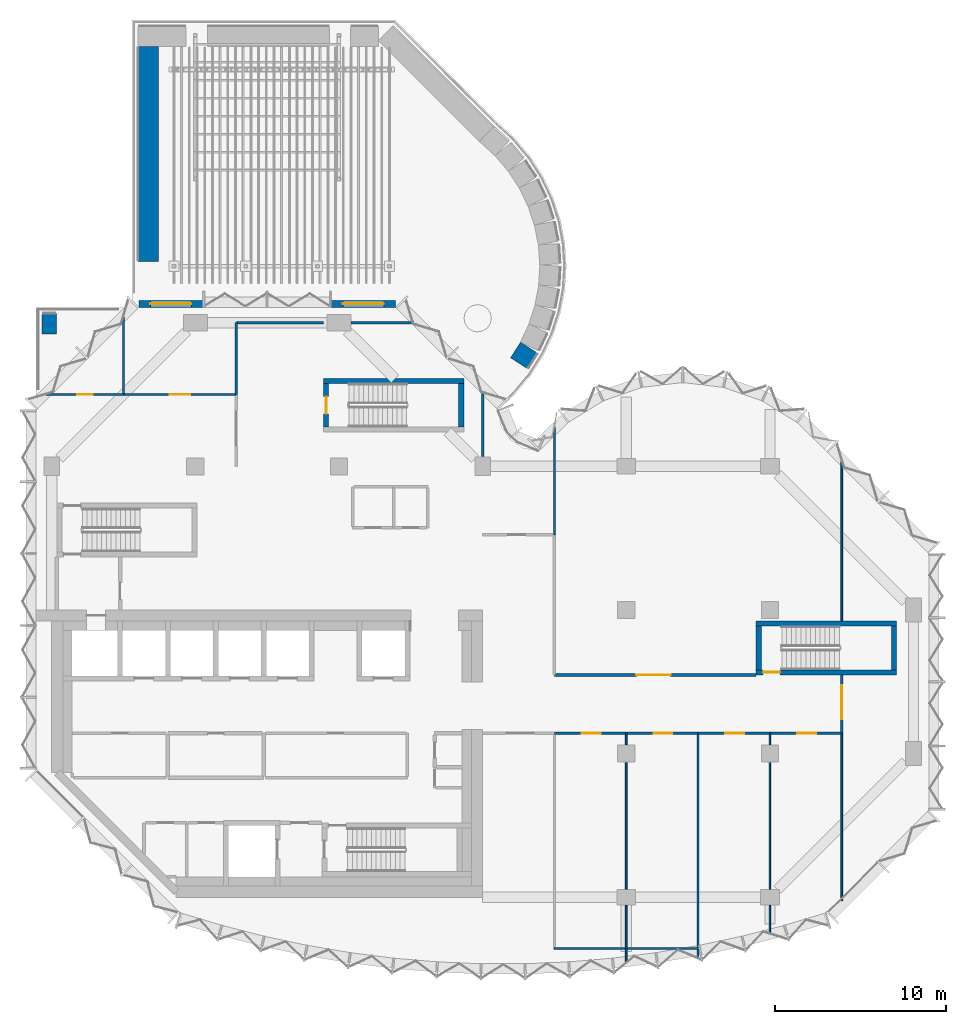
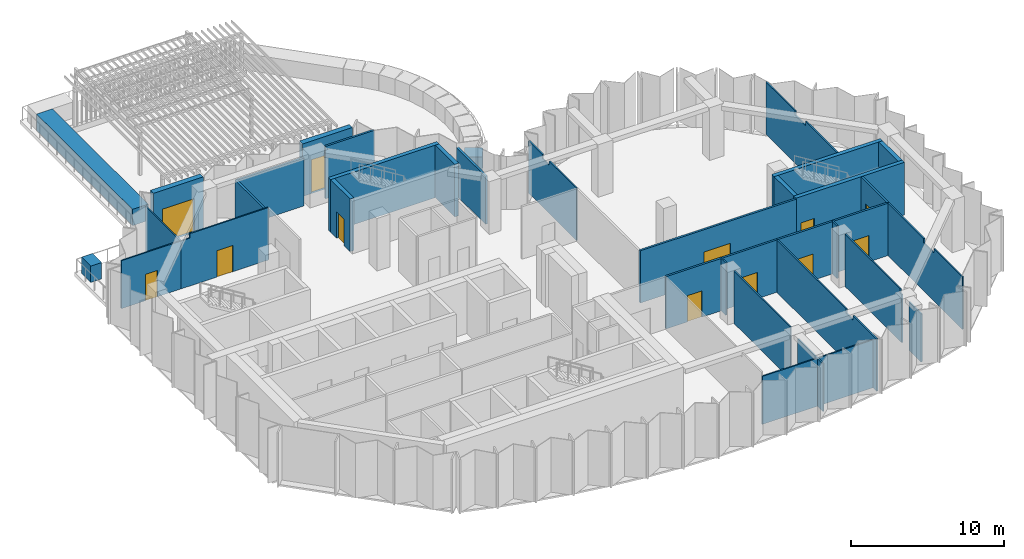
# One storey, part 10 of 15: 37 walls, 12 doors, 12 openings.
"""IFC4 building model written with IfcOpenShell, lengths in metres."""

from ifc_helpers import new_model, si_unit, direction, frame, frame_2d, origin, place, context, subcontext, project, spatial, polyline, rectangle, outline, extrude, material, layer, layer_set, type_object, element, fill, save


model = new_model("IFC4")

# Units and contexts
model_context = context("Model", 3, precision=1e-05, world=origin(), true_north=direction((0.0, 1.0)))
body_context = subcontext(model_context, "Body", "Model", "MODEL_VIEW")
ifc_project = project(units=[si_unit("LENGTHUNIT", "METRE"), si_unit("AREAUNIT", "SQUARE_METRE"), si_unit("VOLUMEUNIT", "CUBIC_METRE"), si_unit("PLANEANGLEUNIT", "RADIAN"), si_unit("MASSUNIT", "GRAM", prefix="KILO")], contexts=[model_context])

# Site, building, storey
site_placement = place(None, origin())
site = spatial("IfcSite", under=ifc_project, at=site_placement, CompositionType="ELEMENT")
building_placement = place(site_placement, origin())
building = spatial("IfcBuilding", under=site, at=building_placement, Name="Brevane Broadcast Tower", CompositionType="ELEMENT")
storey_placement = place(building_placement, frame((0.0, 0.0, 206.39990234375)))
storey = spatial("IfcBuildingStorey", under=building, at=storey_placement, Name="L52", CompositionType="ELEMENT", Elevation=206.39990234375)

# Wall
ifc_material_1 = material(Name="Concrete C60/75", Category="concrete")
ifc_layer_1 = layer(ifc_material_1, 0.300048828125)
ifc_layer_set_1 = layer_set([ifc_layer_1], Name="Core wall 300 mm C60/75")
wall_type_1 = type_object("IfcWallType", Name="Core wall 300 mm C60/75", PredefinedType="SHEAR", material=ifc_layer_set_1)
wall_1_placement = place(storey_placement, frame((15.89990234375, 30.199951171875, 0.0), z_axis=(0.0, 0.0, 1.0), x_axis=(1.0, 0.0, 0.0)))
element("IfcWall", 1, at=wall_1_placement, inside=storey, type_object=wall_type_1, Name="L52 stair wall ST-3-N", PredefinedType="SHEAR", context=body_context, shape_type="SweptSolid", body=[
    extrude(rectangle(XDim=8.2001953125, YDim=0.300048828125, at=frame_2d((4.10009765625, 0.0))), origin(), (0.0, 0.0, 1.0), 4.2001953125),
])

# Wall, opening, door
wall_2_placement = place(storey_placement, frame((16.050048828125, 27.5, 0.0), z_axis=(0.0, 0.0, 1.0), x_axis=(0.0, 1.0, 0.0)))
wall_2 = element("IfcWall", 2, at=wall_2_placement, inside=storey, type_object=wall_type_1, Name="L52 stair wall ST-3-W", PredefinedType="SHEAR", context=body_context, shape_type="SweptSolid", body=[
    extrude(rectangle(XDim=2.550048828125, YDim=0.300048828125, at=frame_2d((1.27490234375, 0.0))), origin(), (0.0, 0.0, 1.0), 4.2001953125),
])
opening_1_placement = place(wall_2_placement, frame((0.77490234375, 0.0, 0.0)))
opening_1 = element("IfcOpeningElement", 3, at=opening_1_placement, cuts=wall_2, Name="Opening L52-K12", PredefinedType="OPENING", context=body_context, shape_type="SweptSolid", body=[
    extrude(rectangle(XDim=1.0, YDim=2.10009765625, at=frame_2d((0.5, 1.050048828125))), frame((0.0, 0.159912109375, 0.0), z_axis=(0.0, -1.0, 0.0), x_axis=(1.0, 0.0, 0.0)), (0.0, 0.0, 1.0), 0.320068359375),
])
ifc_material_2 = material(Name="Steel", Category="steel")
door_type_1 = type_object("IfcDoorType", Name="Stair door 1000 x 2100", OperationType="SINGLE_SWING_LEFT", PredefinedType="DOOR", material=ifc_material_2)
door_1_placement = place(opening_1_placement, origin())
door_1 = element("IfcDoor", 4, at=door_1_placement, inside=storey, type_object=door_type_1, Name="Door L52-K12", OperationType="SINGLE_SWING_LEFT", OverallHeight=2.10009765625, OverallWidth=1.0, PredefinedType="DOOR", context=body_context, shape_type="SweptSolid", body=[
    extrude(rectangle(XDim=1.0, YDim=2.10009765625, at=frame_2d((0.5, 1.050048828125))), frame((0.0, 0.02490234375, 0.0), z_axis=(0.0, -1.0, 0.0), x_axis=(1.0, 0.0, 0.0)), (0.0, 0.0, 1.0), 0.050048828125),
])
fill(opening_1, door_1)

# Wall
wall_3_placement = place(storey_placement, frame((23.949951171875, 27.5, 0.0), z_axis=(0.0, 0.0, 1.0), x_axis=(0.0, 1.0, 0.0)))
element("IfcWall", 5, at=wall_3_placement, inside=storey, type_object=wall_type_1, Name="L52 stair wall ST-3-E", PredefinedType="SHEAR", context=body_context, shape_type="SweptSolid", body=[
    extrude(rectangle(XDim=2.550048828125, YDim=0.300048828125, at=frame_2d((1.27490234375, 0.0))), origin(), (0.0, 0.0, 1.0), 4.2001953125),
])

# Wall, opening, door
wall_4_placement = place(storey_placement, frame((49.39990234375, 13.14990234375, 0.0), z_axis=(0.0, 0.0, 1.0), x_axis=(-1.0, 0.0, 0.0)))
wall_4 = element("IfcWall", 6, at=wall_4_placement, inside=storey, type_object=wall_type_1, Name="L52 stair wall ST-4-S", PredefinedType="SHEAR", context=body_context, shape_type="SweptSolid", body=[
    extrude(rectangle(XDim=8.199951171875, YDim=0.300048828125, at=frame_2d((4.10009765625, 0.0))), origin(), (0.0, 0.0, 1.0), 4.2001953125),
])
opening_2_placement = place(wall_4_placement, frame((6.800048828125, 0.0, 0.0)))
opening_2 = element("IfcOpeningElement", 7, at=opening_2_placement, cuts=wall_4, Name="Opening L52-K13", PredefinedType="OPENING", context=body_context, shape_type="SweptSolid", body=[
    extrude(rectangle(XDim=1.0, YDim=2.10009765625, at=frame_2d((0.5, 1.050048828125))), frame((0.0, 0.159912109375, 0.0), z_axis=(0.0, -1.0, 0.0), x_axis=(1.0, 0.0, 0.0)), (0.0, 0.0, 1.0), 0.320068359375),
])
door_2_placement = place(opening_2_placement, origin())
door_2 = element("IfcDoor", 8, at=door_2_placement, inside=storey, type_object=door_type_1, Name="Door L52-K13", OperationType="SINGLE_SWING_RIGHT", OverallHeight=2.10009765625, OverallWidth=1.0, PredefinedType="DOOR", context=body_context, shape_type="SweptSolid", body=[
    extrude(rectangle(XDim=1.0, YDim=2.10009765625, at=frame_2d((0.5, 1.050048828125))), frame((0.0, 0.02490234375, 0.0), z_axis=(0.0, -1.0, 0.0), x_axis=(1.0, 0.0, 0.0)), (0.0, 0.0, 1.0), 0.050048828125),
])
fill(opening_2, door_2)

# Walls
wall_5_placement = place(storey_placement, frame((41.199951171875, 16.0, 0.0), z_axis=(0.0, 0.0, 1.0), x_axis=(1.0, 0.0, 0.0)))
element("IfcWall", 9, at=wall_5_placement, inside=storey, type_object=wall_type_1, Name="L52 stair wall ST-4-N", PredefinedType="SHEAR", context=body_context, shape_type="SweptSolid", body=[
    extrude(rectangle(XDim=8.199951171875, YDim=0.300048828125, at=frame_2d((4.10009765625, 0.0))), origin(), (0.0, 0.0, 1.0), 4.2001953125),
])
for number, where, z_axis, x_axis, name in (
    (10, (41.35009765625, 13.300048828125, 0.0), (0.0, 0.0, 1.0), (0.0, 1.0, 0.0), "L52 stair wall ST-4-W"),
    (11, (49.25, 13.300048828125, 0.0), (0.0, 0.0, 1.0), (0.0, 1.0, 0.0), "L52 stair wall ST-4-E"),
):
    element("IfcWall", number, at=place(storey_placement, frame(where, z_axis=z_axis, x_axis=x_axis)), inside=storey, type_object=wall_type_1, Name=name, PredefinedType="SHEAR", context=body_context, shape_type="SweptSolid", body=[
        extrude(rectangle(XDim=2.550048828125, YDim=0.300048828125, at=frame_2d((1.27490234375, 0.0))), origin(), (0.0, 0.0, 1.0), 4.2001953125),
    ])

# Wall, opening, door
ifc_material_3 = material(Name="Concrete C40/50", Category="concrete")
ifc_layer_2 = layer(ifc_material_3, 0.39990234375)
ifc_layer_set_2 = layer_set([ifc_layer_2], Name="Entrance portal wall 400")
wall_type_2 = type_object("IfcWallType", Name="Entrance portal wall 400", PredefinedType="SOLIDWALL", material=ifc_layer_set_2)
wall_6_placement = place(storey_placement, frame((16.35009765625, 34.699951171875, 0.0), z_axis=(0.0, 0.0, 1.0), x_axis=(1.0, 0.0, 0.0)))
wall_6 = element("IfcWall", 12, at=wall_6_placement, inside=storey, type_object=wall_type_2, Name="Portal wall terrace door", PredefinedType="SOLIDWALL", context=body_context, shape_type="SweptSolid", body=[
    extrude(rectangle(XDim=3.75, YDim=0.39990234375, at=frame_2d((1.875, 0.0))), origin(), (0.0, 0.0, 1.0), 4.2001953125),
])
opening_3_placement = place(wall_6_placement, frame((0.675048828125, 0.0, 0.0)))
opening_3 = element("IfcOpeningElement", 13, at=opening_3_placement, cuts=wall_6, Name="Opening EX17", PredefinedType="OPENING", context=body_context, shape_type="SweptSolid", body=[
    extrude(rectangle(XDim=2.39990234375, YDim=2.699951171875, at=frame_2d((1.199951171875, 1.35009765625))), frame((0.0, 0.2099609375, 0.0), z_axis=(0.0, -1.0, 0.0), x_axis=(1.0, 0.0, 0.0)), (0.0, 0.0, 1.0), 0.419921875),
])
ifc_material_4 = material(Name="Aluminium bronze anodised and laminated glass", Category="aluminium")
door_type_2 = type_object("IfcDoorType", Name="Terrace door 2400x2700", OperationType="DOUBLE_DOOR_SINGLE_SWING", PredefinedType="DOOR", material=ifc_material_4)
door_3_placement = place(opening_3_placement, origin())
door_3 = element("IfcDoor", 14, at=door_3_placement, inside=storey, type_object=door_type_2, Name="Terrace door", OperationType="DOUBLE_DOOR_SINGLE_SWING", OverallHeight=2.699951171875, OverallWidth=2.39990234375, PredefinedType="DOOR", context=body_context, shape_type="SweptSolid", body=[
    extrude(rectangle(XDim=2.39990234375, YDim=2.699951171875, at=frame_2d((1.199951171875, 1.35009765625))), frame((0.0, 0.02490234375, 0.0), z_axis=(0.0, -1.0, 0.0), x_axis=(1.0, 0.0, 0.0)), (0.0, 0.0, 1.0), 0.050048828125),
])
fill(opening_3, door_3)

wall_7_placement = place(storey_placement, frame((5.10009765625, 34.699951171875, 0.0), z_axis=(0.0, 0.0, 1.0), x_axis=(1.0, 0.0, 0.0)))
wall_7 = element("IfcWall", 15, at=wall_7_placement, inside=storey, type_object=wall_type_2, Name="Portal wall terrace door", PredefinedType="SOLIDWALL", context=body_context, shape_type="SweptSolid", body=[
    extrude(rectangle(XDim=3.75, YDim=0.39990234375, at=frame_2d((1.875, 0.0))), origin(), (0.0, 0.0, 1.0), 4.2001953125),
])
opening_4_placement = place(wall_7_placement, frame((0.675048828125, 0.0, 0.0)))
opening_4 = element("IfcOpeningElement", 16, at=opening_4_placement, cuts=wall_7, Name="Opening EX18", PredefinedType="OPENING", context=body_context, shape_type="SweptSolid", body=[
    extrude(rectangle(XDim=2.39990234375, YDim=2.699951171875, at=frame_2d((1.199951171875, 1.35009765625))), frame((0.0, 0.2099609375, 0.0), z_axis=(0.0, -1.0, 0.0), x_axis=(1.0, 0.0, 0.0)), (0.0, 0.0, 1.0), 0.419921875),
])
door_4_placement = place(opening_4_placement, origin())
door_4 = element("IfcDoor", 17, at=door_4_placement, inside=storey, type_object=door_type_2, Name="Terrace door", OperationType="DOUBLE_DOOR_SINGLE_SWING", OverallHeight=2.699951171875, OverallWidth=2.39990234375, PredefinedType="DOOR", context=body_context, shape_type="SweptSolid", body=[
    extrude(rectangle(XDim=2.39990234375, YDim=2.699951171875, at=frame_2d((1.199951171875, 1.35009765625))), frame((0.0, 0.02490234375, 0.0), z_axis=(0.0, -1.0, 0.0), x_axis=(1.0, 0.0, 0.0)), (0.0, 0.0, 1.0), 0.050048828125),
])
fill(opening_4, door_4)

# Walls
ifc_material_5 = material(Name="Gypsum board partition")
ifc_layer_3 = layer(ifc_material_5, 0.10009765625)
ifc_layer_set_3 = layer_set([ifc_layer_3], Name="PARTITION 100 STUD")
wall_type_3 = type_object("IfcWallType", Name="PARTITION 100 STUD", PredefinedType="PARTITIONING", material=ifc_layer_set_3)
wall_8_placement = place(storey_placement, frame((29.39990234375, 27.449462890625, 0.0), z_axis=(0.0, 0.0, 1.0), x_axis=(0.0, -1.0, 0.0)))
element("IfcWall", 18, at=wall_8_placement, inside=storey, type_object=wall_type_3, Name="Partition S2-004", PredefinedType="PARTITIONING", context=body_context, shape_type="SweptSolid", body=[
    extrude(outline(polyline([(0.0, 0.0), (6.24951171875, 0.0), (6.249267578125, 4.18017578125), (2.699462890625, 4.18017578125), (2.697265625, 3.830078125), (1.80126953125, 3.830078125), (1.79931640625, 4.18017578125), (0.17431640625, 4.18017578125), (0.0, 4.18017578125), (0.0, 0.0)])), frame((0.0, 0.050048828125, 0.0), z_axis=(0.0, -1.0, 0.0), x_axis=(1.0, 0.0, 0.0)), (0.0, 0.0, 1.0), 0.10009765625),
])
wall_9_placement = place(storey_placement, frame((46.199951171875, -0.199951171875, 0.0), z_axis=(0.0, 0.0, 1.0), x_axis=(0.0, 1.0, 0.0)))
element("IfcWall", 19, at=wall_9_placement, inside=storey, type_object=wall_type_3, Name="Partition S2-012", PredefinedType="PARTITIONING", context=body_context, shape_type="SweptSolid", body=[
    extrude(outline(polyline([(0.0, 0.0), (9.800048828125, 0.0), (9.800048828125, 4.18017578125), (5.065673828125, 4.18017578125), (5.063720703125, 3.830078125), (3.736328125, 3.830078125), (3.734375, 4.18017578125), (0.0, 4.18017578125), (0.0, 0.0)])), frame((0.0, 0.050048828125, 0.0), z_axis=(0.0, -1.0, 0.0), x_axis=(1.0, 0.0, 0.0)), (0.0, 0.0, 1.0), 0.10009765625),
])
wall_10_placement = place(storey_placement, frame((46.199951171875, 16.14990234375, 0.0), z_axis=(0.0, 0.0, 1.0), x_axis=(0.0, 1.0, 0.0)))
element("IfcWall", 20, at=wall_10_placement, inside=storey, type_object=wall_type_3, Name="Partition S2-013", PredefinedType="PARTITIONING", context=body_context, shape_type="SweptSolid", body=[
    extrude(outline(polyline([(0.0, 0.0), (9.365234375, 0.0), (9.365234375, 4.18017578125), (9.25, 4.18017578125), (5.515625, 4.18017578125), (5.513671875, 3.830078125), (4.186279296875, 3.830078125), (4.184326171875, 4.18017578125), (0.0, 4.18017578125), (0.0, 0.0)])), frame((0.0, 0.050048828125, 0.0), z_axis=(0.0, -1.0, 0.0), x_axis=(1.0, 0.0, 0.0)), (0.0, 0.0, 1.0), 0.10009765625),
])
wall_11_placement = place(storey_placement, frame((29.39990234375, -3.0, 0.0), z_axis=(0.0, 0.0, 1.0), x_axis=(1.0, 0.0, 0.0)))
element("IfcWall", 21, at=wall_11_placement, inside=storey, type_object=wall_type_3, Name="Partition S2-015", PredefinedType="PARTITIONING", context=body_context, shape_type="SweptSolid", body=[
    extrude(rectangle(XDim=4.2001953125, YDim=0.10009765625, at=frame_2d((2.10009765625, 0.0))), origin(), (0.0, 0.0, 1.0), 3.830078125),
])
wall_12_placement = place(storey_placement, frame((33.60009765625, -3.0, 0.0), z_axis=(0.0, 0.0, 1.0), x_axis=(1.0, 0.0, 0.0)))
element("IfcWall", 22, at=wall_12_placement, inside=storey, type_object=wall_type_3, Name="Partition S2-016", PredefinedType="PARTITIONING", context=body_context, shape_type="SweptSolid", body=[
    extrude(rectangle(XDim=4.215576171875, YDim=0.10009765625, at=frame_2d((2.10791015625, 0.0))), origin(), (0.0, 0.0, 1.0), 3.830078125),
])
wall_13_placement = place(storey_placement, frame((33.60009765625, 9.60009765625, 0.0), z_axis=(0.0, 0.0, 1.0), x_axis=(0.0, -1.0, 0.0)))
element("IfcWall", 23, at=wall_13_placement, inside=storey, type_object=wall_type_3, Name="Partition S2-017", PredefinedType="PARTITIONING", context=body_context, shape_type="SweptSolid", body=[
    extrude(rectangle(XDim=0.68017578125, YDim=0.10009765625, at=frame_2d((0.340087890625, 0.0))), origin(), (0.0, 0.0, 1.0), 4.18017578125),
])
wall_14_placement = place(storey_placement, frame((33.60009765625, 7.8798828125, 0.0), z_axis=(0.0, 0.0, 1.0), x_axis=(0.0, -1.0, 0.0)))
element("IfcWall", 24, at=wall_14_placement, inside=storey, type_object=wall_type_3, Name="Partition S2-018", PredefinedType="PARTITIONING", context=body_context, shape_type="SweptSolid", body=[
    extrude(rectangle(XDim=7.409912109375, YDim=0.10009765625, at=frame_2d((3.705078125, 0.0))), origin(), (0.0, 0.0, 1.0), 4.18017578125),
])
wall_15_placement = place(storey_placement, frame((33.60009765625, -0.469970703125, 0.0), z_axis=(0.0, 0.0, 1.0), x_axis=(0.0, -1.0, 0.0)))
element("IfcWall", 25, at=wall_15_placement, inside=storey, type_object=wall_type_3, Name="Partition S2-019", PredefinedType="PARTITIONING", context=body_context, shape_type="SweptSolid", body=[
    extrude(rectangle(XDim=3.306640625, YDim=0.10009765625, at=frame_2d((1.6533203125, 0.0))), origin(), (0.0, 0.0, 1.0), 3.830078125),
])
wall_16_placement = place(storey_placement, frame((37.800048828125, 9.60009765625, 0.0), z_axis=(0.0, 0.0, 1.0), x_axis=(0.0, -1.0, 0.0)))
element("IfcWall", 26, at=wall_16_placement, inside=storey, type_object=wall_type_3, Name="Partition S2-020", PredefinedType="PARTITIONING", context=body_context, shape_type="SweptSolid", body=[
    extrude(outline(polyline([(0.0, 0.0), (13.113525390625, 0.0), (13.11328125, 4.18017578125), (12.622314453125, 4.18017578125), (10.050048828125, 4.18017578125), (10.048095703125, 3.830078125), (9.152099609375, 3.830078125), (9.14990234375, 4.18017578125), (0.0, 4.18017578125), (0.0, 0.0)])), frame((0.0, 0.050048828125, 0.0), z_axis=(0.0, -1.0, 0.0), x_axis=(1.0, 0.0, 0.0)), (0.0, 0.0, 1.0), 0.10009765625),
])
wall_17_placement = place(storey_placement, frame((42.0, 9.60009765625, 0.0), z_axis=(0.0, 0.0, 1.0), x_axis=(0.0, -1.0, 0.0)))
element("IfcWall", 27, at=wall_17_placement, inside=storey, type_object=wall_type_3, Name="Partition S2-021", PredefinedType="PARTITIONING", context=body_context, shape_type="SweptSolid", body=[
    extrude(rectangle(XDim=0.68017578125, YDim=0.10009765625, at=frame_2d((0.340087890625, 0.0))), origin(), (0.0, 0.0, 1.0), 4.18017578125),
])
wall_18_placement = place(storey_placement, frame((42.0, 7.8798828125, 0.0), z_axis=(0.0, 0.0, 1.0), x_axis=(0.0, -1.0, 0.0)))
element("IfcWall", 28, at=wall_18_placement, inside=storey, type_object=wall_type_3, Name="Partition S2-022", PredefinedType="PARTITIONING", context=body_context, shape_type="SweptSolid", body=[
    extrude(outline(polyline([(0.0, 0.0), (7.409912109375, 0.0), (7.409912109375, 3.830078125), (7.21630859375, 3.830078125), (7.21435546875, 4.18017578125), (0.0, 4.18017578125), (0.0, 0.0)])), frame((0.0, 0.050048828125, 0.0), z_axis=(0.0, -1.0, 0.0), x_axis=(1.0, 0.0, 0.0)), (0.0, 0.0, 1.0), 0.10009765625),
])
wall_19_placement = place(storey_placement, frame((42.0, -0.469970703125, 0.0), z_axis=(0.0, 0.0, 1.0), x_axis=(0.0, -1.0, 0.0)))
element("IfcWall", 29, at=wall_19_placement, inside=storey, type_object=wall_type_3, Name="Partition S2-023", PredefinedType="PARTITIONING", context=body_context, shape_type="SweptSolid", body=[
    extrude(rectangle(XDim=1.598876953125, YDim=0.10009765625, at=frame_2d((0.79931640625, 0.0))), origin(), (0.0, 0.0, 1.0), 3.830078125),
])

# Wall, opening, door
wall_20_placement = place(storey_placement, frame((-0.315185546875, 29.39990234375, 0.0), z_axis=(0.0, 0.0, 1.0), x_axis=(1.0, 0.0, 0.0)))
wall_20 = element("IfcWall", 30, at=wall_20_placement, inside=storey, type_object=wall_type_3, Name="Partition S2-028", PredefinedType="PARTITIONING", context=body_context, shape_type="SweptSolid", body=[
    extrude(rectangle(XDim=4.51513671875, YDim=0.10009765625, at=frame_2d((2.257568359375, 0.0))), origin(), (0.0, 0.0, 1.0), 3.830078125),
])
opening_5_placement = place(wall_20_placement, frame((1.815185546875, 0.0, 0.0)))
opening_5 = element("IfcOpeningElement", 31, at=opening_5_placement, cuts=wall_20, Name="Opening D25-010", PredefinedType="OPENING", context=body_context, shape_type="SweptSolid", body=[
    extrude(rectangle(XDim=0.89990234375, YDim=2.10009765625, at=frame_2d((0.449951171875, 1.050048828125))), frame((0.0, 0.06005859375, 0.0), z_axis=(0.0, -1.0, 0.0), x_axis=(1.0, 0.0, 0.0)), (0.0, 0.0, 1.0), 0.1201171875),
])
ifc_material_6 = material(Name="Timber door leaf", Category="wood")
door_type_3 = type_object("IfcDoorType", Name="DOOR SINGLE 900 INTERNAL", OperationType="SINGLE_SWING_LEFT", PredefinedType="DOOR", material=ifc_material_6)
door_5_placement = place(opening_5_placement, origin())
door_5 = element("IfcDoor", 32, at=door_5_placement, inside=storey, type_object=door_type_3, Name="Door D25-010", OperationType="SINGLE_SWING_LEFT", OverallHeight=2.10009765625, OverallWidth=0.89990234375, PredefinedType="DOOR", context=body_context, shape_type="SweptSolid", body=[
    extrude(rectangle(XDim=0.89990234375, YDim=2.10009765625, at=frame_2d((0.449951171875, 1.050048828125))), frame((0.0, 0.02490234375, 0.0), z_axis=(0.0, -1.0, 0.0), x_axis=(1.0, 0.0, 0.0)), (0.0, 0.0, 1.0), 0.050048828125),
])
fill(opening_5, door_5)

wall_21_placement = place(storey_placement, frame((4.199951171875, 29.39990234375, 0.0), z_axis=(0.0, 0.0, 1.0), x_axis=(1.0, 0.0, 0.0)))
wall_21 = element("IfcWall", 33, at=wall_21_placement, inside=storey, type_object=wall_type_3, Name="Partition S2-029", PredefinedType="PARTITIONING", context=body_context, shape_type="SweptSolid", body=[
    extrude(outline(polyline([(0.0, 0.0), (6.60009765625, 0.0), (6.60009765625, 4.18017578125), (0.665771484375, 4.18017578125), (0.66357421875, 3.830078125), (0.0, 3.830078125), (0.0, 0.0)])), frame((0.0, 0.050048828125, 0.0), z_axis=(0.0, -1.0, 0.0), x_axis=(1.0, 0.0, 0.0)), (0.0, 0.0, 1.0), 0.10009765625),
])
opening_6_placement = place(wall_21_placement, frame((2.699951171875, 0.0, 0.0)))
opening_6 = element("IfcOpeningElement", 34, at=opening_6_placement, cuts=wall_21, Name="Opening D25-011", PredefinedType="OPENING", context=body_context, shape_type="SweptSolid", body=[
    extrude(rectangle(XDim=1.199951171875, YDim=2.10009765625, at=frame_2d((0.60009765625, 1.050048828125))), frame((0.0, 0.06005859375, 0.0), z_axis=(0.0, -1.0, 0.0), x_axis=(1.0, 0.0, 0.0)), (0.0, 0.0, 1.0), 0.1201171875),
])
door_type_4 = type_object("IfcDoorType", Name="DOOR SINGLE 1200 INTERNAL", OperationType="SINGLE_SWING_LEFT", PredefinedType="DOOR", material=ifc_material_6)
door_6_placement = place(opening_6_placement, origin())
door_6 = element("IfcDoor", 35, at=door_6_placement, inside=storey, type_object=door_type_4, Name="Door D25-011", OperationType="SINGLE_SWING_LEFT", OverallHeight=2.10009765625, OverallWidth=1.199951171875, PredefinedType="DOOR", context=body_context, shape_type="SweptSolid", body=[
    extrude(rectangle(XDim=1.199951171875, YDim=2.10009765625, at=frame_2d((0.60009765625, 1.050048828125))), frame((0.0, 0.02490234375, 0.0), z_axis=(0.0, -1.0, 0.0), x_axis=(1.0, 0.0, 0.0)), (0.0, 0.0, 1.0), 0.050048828125),
])
fill(opening_6, door_6)

# Walls
wall_22_placement = place(storey_placement, frame((4.199951171875, 33.915283203125, 0.0), z_axis=(0.0, 0.0, 1.0), x_axis=(0.0, -1.0, 0.0)))
element("IfcWall", 36, at=wall_22_placement, inside=storey, type_object=wall_type_3, Name="Partition S2-030", PredefinedType="PARTITIONING", context=body_context, shape_type="SweptSolid", body=[
    extrude(rectangle(XDim=4.515380859375, YDim=0.10009765625, at=frame_2d((2.2578125, 0.0))), origin(), (0.0, 0.0, 1.0), 3.830078125),
])
ifc_layer_4 = layer(ifc_material_5, 0.14990234375)
ifc_layer_set_4 = layer_set([ifc_layer_4], Name="PARTITION 150 EI 60")
wall_type_4 = type_object("IfcWallType", Name="PARTITION 150 EI 60", PredefinedType="PARTITIONING", material=ifc_layer_set_4)
wall_23_placement = place(storey_placement, frame((25.199951171875, 25.77001953125, 0.0), z_axis=(0.0, 0.0, 1.0), x_axis=(0.0, 1.0, 0.0)))
element("IfcWall", 37, at=wall_23_placement, inside=storey, type_object=wall_type_4, Name="Partition S2-005", PredefinedType="PARTITIONING", context=body_context, shape_type="SweptSolid", body=[
    extrude(rectangle(XDim=3.830078125, YDim=0.14990234375, at=frame_2d((1.9150390625, 0.0))), origin(), (0.0, 0.0, 1.0), 3.830078125),
])

# Wall, opening, door
wall_24_placement = place(storey_placement, frame((46.199951171875, 13.0, 0.0), z_axis=(0.0, 0.0, 1.0), x_axis=(0.0, -1.0, 0.0)))
wall_24 = element("IfcWall", 38, at=wall_24_placement, inside=storey, type_object=wall_type_4, Name="Partition S2-006", PredefinedType="PARTITIONING", context=body_context, shape_type="SweptSolid", body=[
    extrude(rectangle(XDim=3.39990234375, YDim=0.14990234375, at=frame_2d((1.699951171875, 0.0))), origin(), (0.0, 0.0, 1.0), 4.18017578125),
])
opening_7_placement = place(wall_24_placement, frame((0.60009765625, 0.0, 0.0)))
opening_7 = element("IfcOpeningElement", 39, at=opening_7_placement, cuts=wall_24, Name="Opening D25-002", PredefinedType="OPENING", context=body_context, shape_type="SweptSolid", body=[
    extrude(rectangle(XDim=2.0, YDim=2.39990234375, at=frame_2d((1.0, 1.199951171875))), frame((0.0, 0.0849609375, 0.0), z_axis=(0.0, -1.0, 0.0), x_axis=(1.0, 0.0, 0.0)), (0.0, 0.0, 1.0), 0.169921875),
])
ifc_material_7 = material(Name="Fire-rated timber door leaf", Category="wood")
door_type_5 = type_object("IfcDoorType", Name="DOOR DOUBLE 2000 FD30S", OperationType="DOUBLE_DOOR_SINGLE_SWING", PredefinedType="DOOR", material=ifc_material_7)
door_7_placement = place(opening_7_placement, origin())
door_7 = element("IfcDoor", 40, at=door_7_placement, inside=storey, type_object=door_type_5, Name="Door D25-002", OperationType="DOUBLE_DOOR_SINGLE_SWING", OverallHeight=2.39990234375, OverallWidth=2.0, PredefinedType="DOOR", context=body_context, shape_type="SweptSolid", body=[
    extrude(rectangle(XDim=2.0, YDim=2.39990234375, at=frame_2d((1.0, 1.199951171875))), frame((0.0, 0.02490234375, 0.0), z_axis=(0.0, -1.0, 0.0), x_axis=(1.0, 0.0, 0.0)), (0.0, 0.0, 1.0), 0.050048828125),
])
fill(opening_7, door_7)

wall_25_placement = place(storey_placement, frame((33.60009765625, 9.60009765625, 0.0), z_axis=(0.0, 0.0, 1.0), x_axis=(-1.0, 0.0, 0.0)))
wall_25 = element("IfcWall", 41, at=wall_25_placement, inside=storey, type_object=wall_type_4, Name="Partition S2-007", PredefinedType="PARTITIONING", context=body_context, shape_type="SweptSolid", body=[
    extrude(rectangle(XDim=4.2001953125, YDim=0.14990234375, at=frame_2d((2.10009765625, 0.0))), origin(), (0.0, 0.0, 1.0), 4.18017578125),
])
opening_8_placement = place(wall_25_placement, frame((1.5, 0.0, 0.0)))
opening_8 = element("IfcOpeningElement", 42, at=opening_8_placement, cuts=wall_25, Name="Opening D25-004", PredefinedType="OPENING", context=body_context, shape_type="SweptSolid", body=[
    extrude(rectangle(XDim=1.10009765625, YDim=2.10009765625, at=frame_2d((0.550048828125, 1.050048828125))), frame((0.0, 0.0849609375, 0.0), z_axis=(0.0, -1.0, 0.0), x_axis=(1.0, 0.0, 0.0)), (0.0, 0.0, 1.0), 0.169921875),
])
door_type_6 = type_object("IfcDoorType", Name="DOOR SINGLE 1100 FD30S", OperationType="SINGLE_SWING_LEFT", PredefinedType="DOOR", material=ifc_material_7)
door_8_placement = place(opening_8_placement, origin())
door_8 = element("IfcDoor", 43, at=door_8_placement, inside=storey, type_object=door_type_6, Name="Door D25-004", OperationType="SINGLE_SWING_LEFT", OverallHeight=2.10009765625, OverallWidth=1.10009765625, PredefinedType="DOOR", context=body_context, shape_type="SweptSolid", body=[
    extrude(rectangle(XDim=1.10009765625, YDim=2.10009765625, at=frame_2d((0.550048828125, 1.050048828125))), frame((0.0, 0.02490234375, 0.0), z_axis=(0.0, -1.0, 0.0), x_axis=(1.0, 0.0, 0.0)), (0.0, 0.0, 1.0), 0.050048828125),
])
fill(opening_8, door_8)

wall_26_placement = place(storey_placement, frame((37.800048828125, 9.60009765625, 0.0), z_axis=(0.0, 0.0, 1.0), x_axis=(-1.0, 0.0, 0.0)))
wall_26 = element("IfcWall", 44, at=wall_26_placement, inside=storey, type_object=wall_type_4, Name="Partition S2-008", PredefinedType="PARTITIONING", context=body_context, shape_type="SweptSolid", body=[
    extrude(rectangle(XDim=4.199951171875, YDim=0.14990234375, at=frame_2d((2.10009765625, 0.0))), origin(), (0.0, 0.0, 1.0), 4.18017578125),
])
opening_9_placement = place(wall_26_placement, frame((1.5, 0.0, 0.0)))
opening_9 = element("IfcOpeningElement", 45, at=opening_9_placement, cuts=wall_26, Name="Opening D25-005", PredefinedType="OPENING", context=body_context, shape_type="SweptSolid", body=[
    extrude(rectangle(XDim=1.10009765625, YDim=2.10009765625, at=frame_2d((0.550048828125, 1.050048828125))), frame((0.0, 0.0849609375, 0.0), z_axis=(0.0, -1.0, 0.0), x_axis=(1.0, 0.0, 0.0)), (0.0, 0.0, 1.0), 0.169921875),
])
door_9_placement = place(opening_9_placement, origin())
door_9 = element("IfcDoor", 46, at=door_9_placement, inside=storey, type_object=door_type_6, Name="Door D25-005", OperationType="SINGLE_SWING_LEFT", OverallHeight=2.10009765625, OverallWidth=1.10009765625, PredefinedType="DOOR", context=body_context, shape_type="SweptSolid", body=[
    extrude(rectangle(XDim=1.10009765625, YDim=2.10009765625, at=frame_2d((0.550048828125, 1.050048828125))), frame((0.0, 0.02490234375, 0.0), z_axis=(0.0, -1.0, 0.0), x_axis=(1.0, 0.0, 0.0)), (0.0, 0.0, 1.0), 0.050048828125),
])
fill(opening_9, door_9)

wall_27_placement = place(storey_placement, frame((42.0, 9.60009765625, 0.0), z_axis=(0.0, 0.0, 1.0), x_axis=(-1.0, 0.0, 0.0)))
wall_27 = element("IfcWall", 47, at=wall_27_placement, inside=storey, type_object=wall_type_4, Name="Partition S2-009", PredefinedType="PARTITIONING", context=body_context, shape_type="SweptSolid", body=[
    extrude(rectangle(XDim=4.199951171875, YDim=0.14990234375, at=frame_2d((2.10009765625, 0.0))), origin(), (0.0, 0.0, 1.0), 4.18017578125),
])
opening_10_placement = place(wall_27_placement, frame((1.5, 0.0, 0.0)))
opening_10 = element("IfcOpeningElement", 48, at=opening_10_placement, cuts=wall_27, Name="Opening D25-006", PredefinedType="OPENING", context=body_context, shape_type="SweptSolid", body=[
    extrude(rectangle(XDim=1.10009765625, YDim=2.10009765625, at=frame_2d((0.550048828125, 1.050048828125))), frame((0.0, 0.0849609375, 0.0), z_axis=(0.0, -1.0, 0.0), x_axis=(1.0, 0.0, 0.0)), (0.0, 0.0, 1.0), 0.169921875),
])
door_10_placement = place(opening_10_placement, origin())
door_10 = element("IfcDoor", 49, at=door_10_placement, inside=storey, type_object=door_type_6, Name="Door D25-006", OperationType="SINGLE_SWING_LEFT", OverallHeight=2.10009765625, OverallWidth=1.10009765625, PredefinedType="DOOR", context=body_context, shape_type="SweptSolid", body=[
    extrude(rectangle(XDim=1.10009765625, YDim=2.10009765625, at=frame_2d((0.550048828125, 1.050048828125))), frame((0.0, 0.02490234375, 0.0), z_axis=(0.0, -1.0, 0.0), x_axis=(1.0, 0.0, 0.0)), (0.0, 0.0, 1.0), 0.050048828125),
])
fill(opening_10, door_10)

wall_28_placement = place(storey_placement, frame((46.199951171875, 9.60009765625, 0.0), z_axis=(0.0, 0.0, 1.0), x_axis=(-1.0, 0.0, 0.0)))
wall_28 = element("IfcWall", 50, at=wall_28_placement, inside=storey, type_object=wall_type_4, Name="Partition S2-010", PredefinedType="PARTITIONING", context=body_context, shape_type="SweptSolid", body=[
    extrude(rectangle(XDim=4.199951171875, YDim=0.14990234375, at=frame_2d((2.10009765625, 0.0))), origin(), (0.0, 0.0, 1.0), 4.18017578125),
])
opening_11_placement = place(wall_28_placement, frame((1.5, 0.0, 0.0)))
opening_11 = element("IfcOpeningElement", 51, at=opening_11_placement, cuts=wall_28, Name="Opening D25-007", PredefinedType="OPENING", context=body_context, shape_type="SweptSolid", body=[
    extrude(rectangle(XDim=1.10009765625, YDim=2.10009765625, at=frame_2d((0.550048828125, 1.050048828125))), frame((0.0, 0.0849609375, 0.0), z_axis=(0.0, -1.0, 0.0), x_axis=(1.0, 0.0, 0.0)), (0.0, 0.0, 1.0), 0.169921875),
])
door_11_placement = place(opening_11_placement, origin())
door_11 = element("IfcDoor", 52, at=door_11_placement, inside=storey, type_object=door_type_6, Name="Door D25-007", OperationType="SINGLE_SWING_LEFT", OverallHeight=2.10009765625, OverallWidth=1.10009765625, PredefinedType="DOOR", context=body_context, shape_type="SweptSolid", body=[
    extrude(rectangle(XDim=1.10009765625, YDim=2.10009765625, at=frame_2d((0.550048828125, 1.050048828125))), frame((0.0, 0.02490234375, 0.0), z_axis=(0.0, -1.0, 0.0), x_axis=(1.0, 0.0, 0.0)), (0.0, 0.0, 1.0), 0.050048828125),
])
fill(opening_11, door_11)

wall_29_placement = place(storey_placement, frame((29.39990234375, 13.0, 0.0), z_axis=(0.0, 0.0, 1.0), x_axis=(1.0, 0.0, 0.0)))
wall_29 = element("IfcWall", 53, at=wall_29_placement, inside=storey, type_object=wall_type_4, Name="Partition S2-011", PredefinedType="PARTITIONING", context=body_context, shape_type="SweptSolid", body=[
    extrude(rectangle(XDim=11.800048828125, YDim=0.14990234375, at=frame_2d((5.89990234375, 0.0))), origin(), (0.0, 0.0, 1.0), 4.18017578125),
])
opening_12_placement = place(wall_29_placement, frame((4.800048828125, 0.0, 0.0)))
opening_12 = element("IfcOpeningElement", 54, at=opening_12_placement, cuts=wall_29, Name="Opening D25-008", PredefinedType="OPENING", context=body_context, shape_type="SweptSolid", body=[
    extrude(rectangle(XDim=2.0, YDim=2.39990234375, at=frame_2d((1.0, 1.199951171875))), frame((0.0, 0.0849609375, 0.0), z_axis=(0.0, -1.0, 0.0), x_axis=(1.0, 0.0, 0.0)), (0.0, 0.0, 1.0), 0.169921875),
])
door_12_placement = place(opening_12_placement, origin())
door_12 = element("IfcDoor", 55, at=door_12_placement, inside=storey, type_object=door_type_5, Name="Door D25-008", OperationType="DOUBLE_DOOR_SINGLE_SWING", OverallHeight=2.39990234375, OverallWidth=2.0, PredefinedType="DOOR", context=body_context, shape_type="SweptSolid", body=[
    extrude(rectangle(XDim=2.0, YDim=2.39990234375, at=frame_2d((1.0, 1.199951171875))), frame((0.0, 0.02490234375, 0.0), z_axis=(0.0, -1.0, 0.0), x_axis=(1.0, 0.0, 0.0)), (0.0, 0.0, 1.0), 0.050048828125),
])
fill(opening_12, door_12)

# Walls
wall_30_placement = place(storey_placement, frame((10.800048828125, 29.39990234375, 0.0), z_axis=(0.0, 0.0, 1.0), x_axis=(0.0, 1.0, 0.0)))
element("IfcWall", 56, at=wall_30_placement, inside=storey, type_object=wall_type_4, Name="Partition S2-025", PredefinedType="PARTITIONING", context=body_context, shape_type="SweptSolid", body=[
    extrude(rectangle(XDim=4.2001953125, YDim=0.14990234375, at=frame_2d((2.10009765625, 0.0))), origin(), (0.0, 0.0, 1.0), 3.830078125),
])
wall_31_placement = place(storey_placement, frame((10.800048828125, 33.60009765625, 0.0), z_axis=(0.0, 0.0, 1.0), x_axis=(1.0, 0.0, 0.0)))
element("IfcWall", 57, at=wall_31_placement, inside=storey, type_object=wall_type_4, Name="Partition S2-026", PredefinedType="PARTITIONING", context=body_context, shape_type="SweptSolid", body=[
    extrude(outline(polyline([(0.0, 0.0), (5.099853515625, 0.0), (5.10009765625, 3.830078125), (0.0, 3.830078125), (0.0, 0.0)])), frame((0.0, 0.074951171875, 0.0), z_axis=(0.0, -1.0, 0.0), x_axis=(1.0, 0.0, 0.0)), (0.0, 0.0, 1.0), 0.14990234375),
])
wall_32_placement = place(storey_placement, frame((17.52001953125, 33.60009765625, 0.0), z_axis=(0.0, 0.0, 1.0), x_axis=(1.0, 0.0, 0.0)))
element("IfcWall", 58, at=wall_32_placement, inside=storey, type_object=wall_type_4, Name="Partition S2-027", PredefinedType="PARTITIONING", context=body_context, shape_type="SweptSolid", body=[
    extrude(rectangle(XDim=3.679931640625, YDim=0.14990234375, at=frame_2d((1.83984375, 0.0))), origin(), (0.0, 0.0, 1.0), 4.18017578125),
])
ifc_material_8 = material(Name="Concrete C30/37", Category="concrete")
ifc_layer_5 = layer(ifc_material_8, 1.199951171875)
ifc_layer_set_5 = layer_set([ifc_layer_5], Name="Planter wall 1200")
wall_type_5 = type_object("IfcWallType", Name="Planter wall 1200", PredefinedType="PARAPET", material=ifc_layer_set_5)
wall_33_placement = place(storey_placement, frame((0.27978515625, 33.550048828125, 0.0), z_axis=(0.0, 0.0, 1.0), x_axis=(-1.0, 0.0, 0.0)))
element("IfcWall", 59, at=wall_33_placement, inside=storey, type_object=wall_type_5, Name="Planting bed L52-1", PredefinedType="PARAPET", context=body_context, shape_type="SweptSolid", body=[
    extrude(rectangle(XDim=0.829833984375, YDim=1.199951171875, at=frame_2d((0.4150390625, 0.0))), origin(), (0.0, 0.0, 1.0), 1.300048828125),
])
wall_34_placement = place(storey_placement, frame((27.338134765625, 31.222900390625, 0.0), z_axis=(0.0, 0.0, 1.0), x_axis=(0.540768998311, 0.841171142197, 0.0)))
element("IfcWall", 60, at=wall_34_placement, inside=storey, type_object=wall_type_5, Name="Planting bed L52-2", PredefinedType="PARAPET", context=body_context, shape_type="SweptSolid", body=[
    extrude(rectangle(XDim=1.081787109375, YDim=1.199951171875, at=frame_2d((0.541015625, 0.0))), origin(), (0.0, 0.0, 1.0), 1.300048828125),
])
wall_35_placement = place(storey_placement, frame((5.64990234375, 49.75, 0.0), z_axis=(0.0, 0.0, 1.0), x_axis=(0.0, -1.0, 0.0)))
element("IfcWall", 61, at=wall_35_placement, inside=storey, type_object=wall_type_5, Name="Planting bed L52-18", PredefinedType="PARAPET", context=body_context, shape_type="SweptSolid", body=[
    extrude(rectangle(XDim=12.561767578125, YDim=1.199951171875, at=frame_2d((6.28076171875, 0.0))), origin(), (0.0, 0.0, 1.0), 1.300048828125),
])

save(model, "model.ifc")
